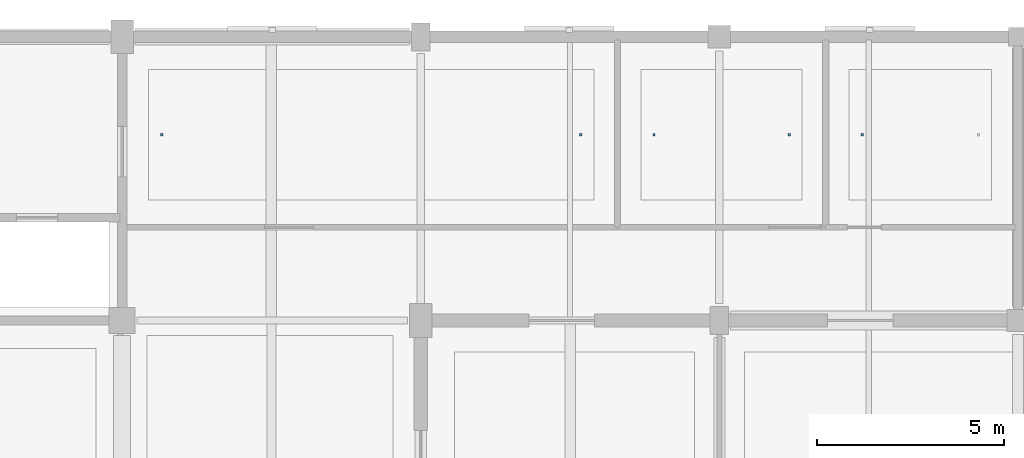
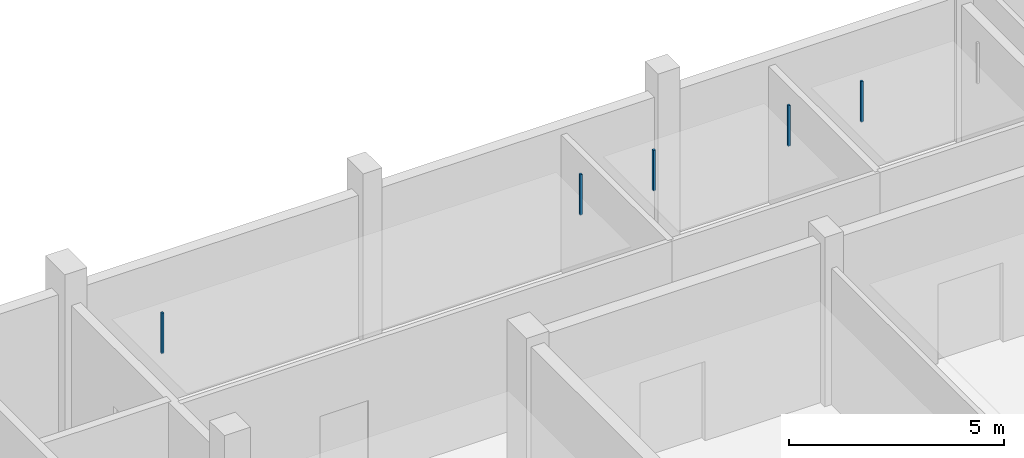
# One storey, part 110 of 141: 5 discrete accessories.
"""IFC4 building model written with IfcOpenShell, lengths in metres."""

from ifc_helpers import new_model, si_unit, direction, frame, origin, origin_2d, place, context, subcontext, project, spatial, rectangle, extrude, material, type_object, element, save


model = new_model("IFC4")

# Units and contexts
model_context = context("Model", 3, precision=1e-05, world=origin(), true_north=direction((0.0, 1.0)))
body_context = subcontext(model_context, "Body", "Model", "MODEL_VIEW")
ifc_project = project(units=[si_unit("LENGTHUNIT", "METRE"), si_unit("AREAUNIT", "SQUARE_METRE"), si_unit("VOLUMEUNIT", "CUBIC_METRE"), si_unit("PLANEANGLEUNIT", "RADIAN"), si_unit("MASSUNIT", "GRAM", prefix="KILO")], contexts=[model_context])

# Site, building, storey
site_placement = place(None, origin())
site = spatial("IfcSite", under=ifc_project, at=site_placement, CompositionType="ELEMENT")
building_placement = place(site_placement, origin())
building = spatial("IfcBuilding", under=site, at=building_placement, Name="Khelvaren Railside Concert Hall", CompositionType="ELEMENT")
storey_placement = place(building_placement, frame((0.0, 0.0, 10.199951171875)))
storey = spatial("IfcBuildingStorey", under=building, at=storey_placement, Name="L02", CompositionType="ELEMENT", Elevation=10.199951171875)

# Discrete accessories
ifc_material = material(Name="Galvanised steel acoustic ceiling hanger rod", Category="steel")
discrete_accessory_type = type_object("IfcDiscreteAccessoryType", Name="BRK62", PredefinedType="BRACKET", material=ifc_material)
for number, where, z_axis, x_axis, name in (
    (1, (9.06005859375, 111.375, 3.43017578125), (0.0, 0.0, 1.0), (1.0, 0.0, 0.0), "Acoustic Ceiling Suspension Bracket 117-1"),
    (2, (20.2880859375, 111.375, 3.43017578125), (0.0, 0.0, 1.0), (1.0, 0.0, 0.0), "Acoustic Ceiling Suspension Bracket 117-2"),
    (3, (22.248046875, 111.375, 3.43017578125), (0.0, 0.0, 1.0), (1.0, 0.0, 0.0), "Acoustic Ceiling Suspension Bracket 118-1"),
    (4, (25.867919921875, 111.375, 3.43017578125), (0.0, 0.0, 1.0), (1.0, 0.0, 0.0), "Acoustic Ceiling Suspension Bracket 118-2"),
    (5, (27.827880859375, 111.375, 3.43017578125), (0.0, 0.0, 1.0), (1.0, 0.0, 0.0), "Acoustic Ceiling Suspension Bracket 119-1"),
):
    element("IfcDiscreteAccessory", number, at=place(storey_placement, frame(where, z_axis=z_axis, x_axis=x_axis)), inside=storey, type_object=discrete_accessory_type, Name=name, PredefinedType="BRACKET", context=body_context, shape_type="SweptSolid", body=[
        extrude(rectangle(XDim=0.06005859375, YDim=0.06005859375, at=origin_2d()), origin(), (0.0, 0.0, 1.0), 1.14990234375),
    ])

save(model, "model.ifc")
